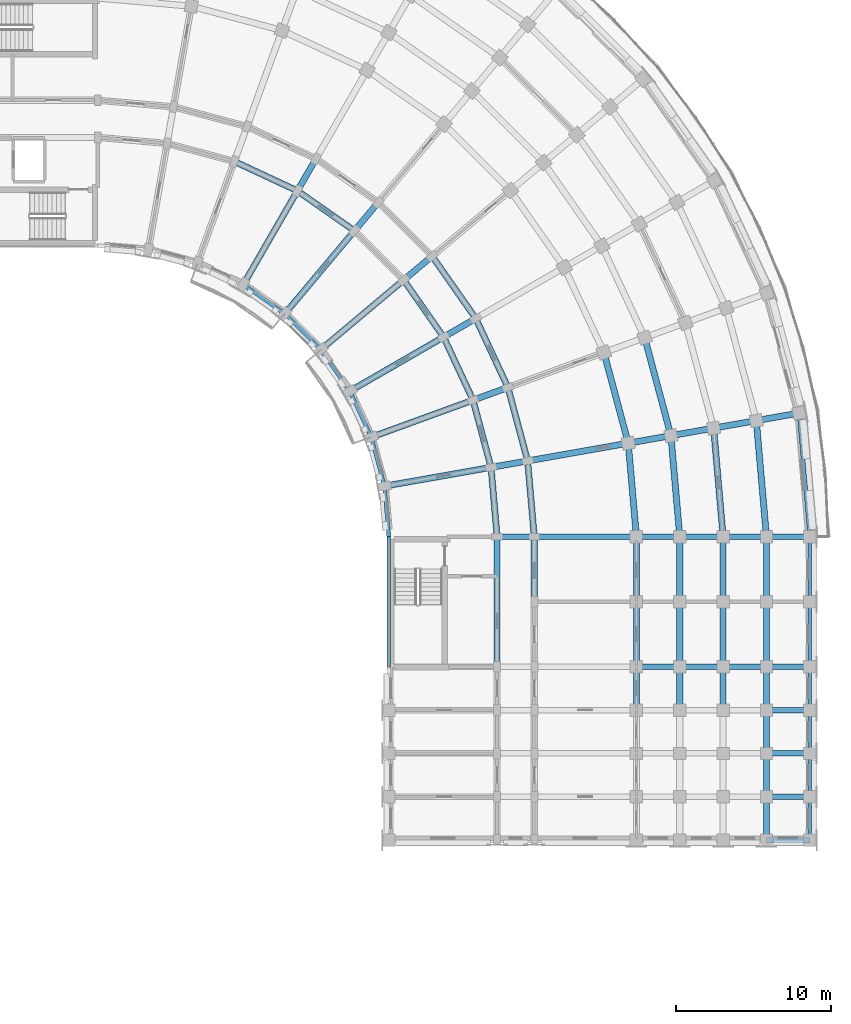
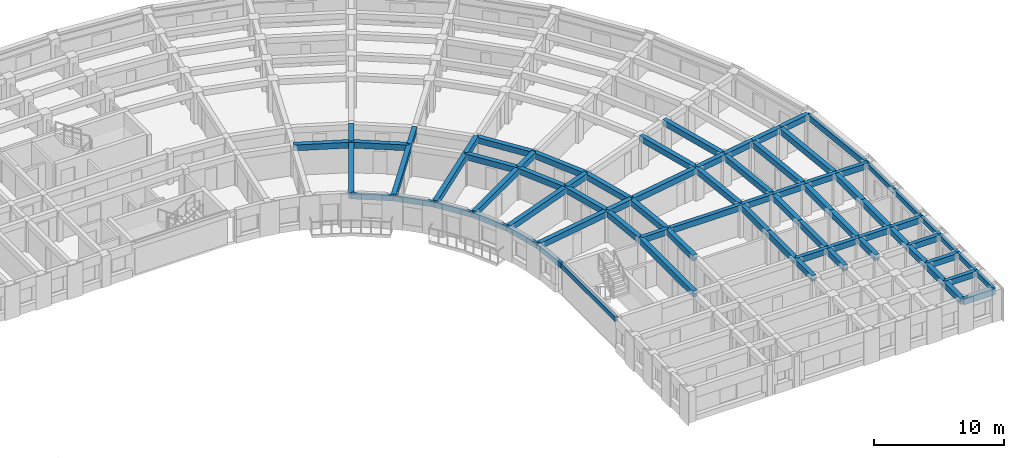
# One storey, part 11 of 54: 78 beams.
"""IFC4 building model written with IfcOpenShell, lengths in metres."""

from ifc_helpers import new_model, si_unit, direction, frame, origin, origin_2d, place, context, subcontext, project, spatial, rectangle, extrude, material, material_profile, profile_set, type_object, element, save


model = new_model("IFC4")

# Units and contexts
model_context = context("Model", 3, precision=1e-05, world=origin(), true_north=direction((0.0, 1.0)))
body_context = subcontext(model_context, "Body", "Model", "MODEL_VIEW")
ifc_project = project(units=[si_unit("LENGTHUNIT", "METRE"), si_unit("AREAUNIT", "SQUARE_METRE"), si_unit("VOLUMEUNIT", "CUBIC_METRE"), si_unit("PLANEANGLEUNIT", "RADIAN"), si_unit("MASSUNIT", "GRAM", prefix="KILO")], contexts=[model_context])

# Site, building, storey
site_placement = place(None, origin())
site = spatial("IfcSite", under=ifc_project, at=site_placement, CompositionType="ELEMENT")
building_placement = place(site_placement, origin())
building = spatial("IfcBuilding", under=site, at=building_placement, Name="Kiranvali Square Residences", CompositionType="ELEMENT")
storey_placement = place(building_placement, frame((0.0, 0.0, 11.85009765625)))
storey = spatial("IfcBuildingStorey", under=building, at=storey_placement, Name="L03", CompositionType="ELEMENT", Elevation=11.85009765625)

# Beams
ifc_material_1 = material(Name="Concrete M40 (40 MPa)", Category="concrete")
ifc_material_profile_1 = material_profile(ifc_material_1, rectangle(XDim=0.35009765625, YDim=0.550048828125, at=origin_2d()), Name="RC 350x550")
ifc_profile_set_1 = profile_set([ifc_material_profile_1], Name="Concrete M40 (40 MPa)")
beam_type_1 = type_object("IfcBeamType", Name="BM-M40-350x550", PredefinedType="BEAM", material=ifc_profile_set_1)
beam_1_placement = place(storey_placement, frame((145.60009765625, 87.800048828125, 2.65478515625), z_axis=(1.0, 0.0, 0.0), x_axis=(0.0, 1.0, 0.0)))
element("IfcBeam", 1, at=beam_1_placement, inside=storey, type_object=beam_type_1, Name="L03 beam BM-B-L03-A2T0-12", PredefinedType="BEAM", context=body_context, shape_type="SweptSolid", body=[
    extrude(rectangle(XDim=0.35009765625, YDim=0.550048828125, at=origin_2d()), origin(), (0.0, 0.0, 1.0), 2.39990234375),
])
beam_2_placement = place(storey_placement, frame((148.0, 87.800048828125, 2.65478515625), z_axis=(1.0, 0.0, 0.0), x_axis=(0.0, 1.0, 0.0)))
element("IfcBeam", 2, at=beam_2_placement, inside=storey, type_object=beam_type_1, Name="L03 beam BM-B-L03-A2T0-23", PredefinedType="BEAM", context=body_context, shape_type="SweptSolid", body=[
    extrude(rectangle(XDim=0.35009765625, YDim=0.550048828125, at=origin_2d()), origin(), (0.0, 0.0, 1.0), 6.60009765625),
])
beam_3_placement = place(storey_placement, frame((154.60009765625, 87.800048828125, 2.65478515625), z_axis=(1.0, 0.0, 0.0), x_axis=(0.0, 1.0, 0.0)))
element("IfcBeam", 3, at=beam_3_placement, inside=storey, type_object=beam_type_1, Name="L03 beam BM-B-L03-A2T0-34", PredefinedType="BEAM", context=body_context, shape_type="SweptSolid", body=[
    extrude(rectangle(XDim=0.35009765625, YDim=0.550048828125, at=origin_2d()), origin(), (0.0, 0.0, 1.0), 2.7998046875),
])
for number, where, z_axis, x_axis, name in (
    (4, (157.39990234375, 87.800048828125, 2.65478515625), (1.0, 0.0, 0.0), (0.0, 1.0, 0.0), "L03 beam BM-B-L03-A2T0-45"),
    (5, (160.199951171875, 87.800048828125, 2.65478515625), (1.0, 0.0, 0.0), (0.0, 1.0, 0.0), "L03 beam BM-B-L03-A2T0-56"),
    (6, (163.0, 87.800048828125, 2.65478515625), (1.0, 0.0, 0.0), (0.0, 1.0, 0.0), "L03 beam BM-B-L03-A2T0-67"),
):
    element("IfcBeam", number, at=place(storey_placement, frame(where, z_axis=z_axis, x_axis=x_axis)), inside=storey, type_object=beam_type_1, Name=name, PredefinedType="BEAM", context=body_context, shape_type="SweptSolid", body=[
        extrude(rectangle(XDim=0.35009765625, YDim=0.550048828125, at=origin_2d()), origin(), (0.0, 0.0, 1.0), 2.800048828125),
    ])
beam_4_placement = place(storey_placement, frame((154.60009765625, 79.39990234375, 2.65478515625), z_axis=(1.0, 0.0, 0.0), x_axis=(0.0, 1.0, 0.0)))
element("IfcBeam", 7, at=beam_4_placement, inside=storey, type_object=beam_type_1, Name="L03 beam BM-B-L03-A2T1-34", PredefinedType="BEAM", context=body_context, shape_type="SweptSolid", body=[
    extrude(rectangle(XDim=0.35009765625, YDim=0.550048828125, at=origin_2d()), origin(), (0.0, 0.0, 1.0), 2.7998046875),
])
for number, where, z_axis, x_axis, name in (
    (8, (157.39990234375, 79.39990234375, 2.65478515625), (1.0, 0.0, 0.0), (0.0, 1.0, 0.0), "L03 beam BM-B-L03-A2T1-45"),
    (9, (160.199951171875, 79.39990234375, 2.65478515625), (1.0, 0.0, 0.0), (0.0, 1.0, 0.0), "L03 beam BM-B-L03-A2T1-56"),
    (10, (163.0, 79.39990234375, 2.65478515625), (1.0, 0.0, 0.0), (0.0, 1.0, 0.0), "L03 beam BM-B-L03-A2T1-67"),
    (11, (163.0, 76.60009765625, 2.65478515625), (1.0, 0.0, 0.0), (0.0, 1.0, 0.0), "L03 beam BM-B-L03-A2T2-67"),
    (12, (163.0, 73.800048828125, 2.65478515625), (1.0, 0.0, 0.0), (0.0, 1.0, 0.0), "L03 beam BM-B-L03-A2T3-67"),
    (13, (163.0, 71.0, 2.65478515625), (1.0, 0.0, 0.0), (0.0, 1.0, 0.0), "L03 beam BM-B-L03-A2T4-67"),
    (14, (163.0, 68.199951171875, 2.65478515625), (1.0, 0.0, 0.0), (0.0, 1.0, 0.0), "L03 beam BM-B-L03-A2T5-67"),
):
    element("IfcBeam", number, at=place(storey_placement, frame(where, z_axis=z_axis, x_axis=x_axis)), inside=storey, type_object=beam_type_1, Name=name, PredefinedType="BEAM", context=body_context, shape_type="SweptSolid", body=[
        extrude(rectangle(XDim=0.35009765625, YDim=0.550048828125, at=origin_2d()), origin(), (0.0, 0.0, 1.0), 2.800048828125),
    ])
ifc_material_2 = material(Name="Concrete M45 (45 MPa)", Category="concrete")
ifc_material_profile_2 = material_profile(ifc_material_2, rectangle(XDim=0.39990234375, YDim=0.550048828125, at=origin_2d()), Name="RC 400x550")
ifc_profile_set_2 = profile_set([ifc_material_profile_2], Name="Concrete M45 (45 MPa)")
beam_type_2 = type_object("IfcBeamType", Name="BM-M45-400x550", PredefinedType="BEAM", material=ifc_profile_set_2)
for number, where, z_axis, x_axis, name in (
    (15, (128.6240234375, 112.044189453125, 2.65478515625), (0.906307919131, -0.422617978463, 0.0), (0.422617978463, 0.906307919131, 0.0), "L03 beam BM-B-L03-C02-R1"),
    (16, (132.699951171875, 110.1435546875, 2.65478515625), (0.819155404658, -0.573571637217, 0.0), (0.573571637217, 0.819155404658, 0.0), "L03 beam BM-B-L03-C03-R1"),
    (17, (139.56396484375, 104.384033203125, 2.65478515625), (0.573571637217, -0.819155404658, 0.0), (0.819155404658, 0.573571637217, 0.0), "L03 beam BM-B-L03-C05-R1"),
):
    element("IfcBeam", number, at=place(storey_placement, frame(where, z_axis=z_axis, x_axis=x_axis)), inside=storey, type_object=beam_type_2, Name=name, PredefinedType="BEAM", context=body_context, shape_type="SweptSolid", body=[
        extrude(rectangle(XDim=0.39990234375, YDim=0.550048828125, at=origin_2d()), origin(), (0.0, 0.0, 1.0), 4.497314453125),
    ])
beam_5_placement = place(storey_placement, frame((141.40234375, 105.926513671875, 2.65478515625), z_axis=(0.573592335331, -0.819140911474, 0.0), x_axis=(0.819140911474, 0.573592335331, 0.0)))
element("IfcBeam", 18, at=beam_5_placement, inside=storey, type_object=beam_type_2, Name="L03 beam BM-B-L03-C05-R2", PredefinedType="BEAM", context=body_context, shape_type="SweptSolid", body=[
    extrude(rectangle(XDim=0.39990234375, YDim=0.550048828125, at=origin_2d()), origin(), (0.0, 0.0, 1.0), 4.915771484375),
])
beam_6_placement = place(storey_placement, frame((142.1435546875, 100.699951171875, 2.65478515625), z_axis=(0.422617978463, -0.906307919131, 0.0), x_axis=(0.906307919131, 0.422617978463, 0.0)))
element("IfcBeam", 19, at=beam_6_placement, inside=storey, type_object=beam_type_2, Name="L03 beam BM-B-L03-C06-R1", PredefinedType="BEAM", context=body_context, shape_type="SweptSolid", body=[
    extrude(rectangle(XDim=0.39990234375, YDim=0.550048828125, at=origin_2d()), origin(), (0.0, 0.0, 1.0), 4.497314453125),
])
beam_7_placement = place(storey_placement, frame((144.221923828125, 101.89990234375, 2.65478515625), z_axis=(0.422629854778, -0.906302381024, 0.0), x_axis=(0.906302381024, 0.422629854778, 0.0)))
element("IfcBeam", 20, at=beam_7_placement, inside=storey, type_object=beam_type_2, Name="L03 beam BM-B-L03-C06-R2", PredefinedType="BEAM", context=body_context, shape_type="SweptSolid", body=[
    extrude(rectangle(XDim=0.39990234375, YDim=0.550048828125, at=origin_2d()), origin(), (0.0, 0.0, 1.0), 4.915283203125),
])
beam_8_placement = place(storey_placement, frame((144.044189453125, 96.6240234375, 2.65478515625), z_axis=(0.258787642463, -0.965934240054, 0.0), x_axis=(0.965934240054, 0.258787642463, 0.0)))
element("IfcBeam", 21, at=beam_8_placement, inside=storey, type_object=beam_type_2, Name="L03 beam BM-B-L03-C07-R1", PredefinedType="BEAM", context=body_context, shape_type="SweptSolid", body=[
    extrude(rectangle(XDim=0.39990234375, YDim=0.550048828125, at=origin_2d()), origin(), (0.0, 0.0, 1.0), 4.497314453125),
])
beam_9_placement = place(storey_placement, frame((146.29931640625, 97.445068359375, 2.65478515625), z_axis=(0.258803112091, -0.965930095386, 0.0), x_axis=(0.965930095386, 0.258803112091, 0.0)))
element("IfcBeam", 22, at=beam_9_placement, inside=storey, type_object=beam_type_2, Name="L03 beam BM-B-L03-C07-R2", PredefinedType="BEAM", context=body_context, shape_type="SweptSolid", body=[
    extrude(rectangle(XDim=0.39990234375, YDim=0.550048828125, at=origin_2d()), origin(), (0.0, 0.0, 1.0), 4.915771484375),
])
beam_10_placement = place(storey_placement, frame((152.501220703125, 99.702392578125, 2.65478515625), z_axis=(0.258827283048, -0.965923618901, 0.0), x_axis=(0.965923618901, 0.258827283048, 0.0)))
element("IfcBeam", 23, at=beam_10_placement, inside=storey, type_object=beam_type_2, Name="L03 beam BM-B-L03-C07-R3", PredefinedType="BEAM", context=body_context, shape_type="SweptSolid", body=[
    extrude(rectangle(XDim=0.39990234375, YDim=0.550048828125, at=origin_2d()), origin(), (0.0, 0.0, 1.0), 6.066162109375),
])
beam_11_placement = place(storey_placement, frame((155.13232421875, 100.659912109375, 2.65478515625), z_axis=(0.258847178297, -0.965918287583, 0.0), x_axis=(0.965918287583, 0.258847178297, 0.0)))
element("IfcBeam", 24, at=beam_11_placement, inside=storey, type_object=beam_type_2, Name="L03 beam BM-B-L03-C07-R4", PredefinedType="BEAM", context=body_context, shape_type="SweptSolid", body=[
    extrude(rectangle(XDim=0.39990234375, YDim=0.550048828125, at=origin_2d()), origin(), (0.0, 0.0, 1.0), 6.55419921875),
])
beam_12_placement = place(storey_placement, frame((145.2080078125, 92.280029296875, 2.65478515625), z_axis=(0.087187153726, -0.996191949488, 0.0), x_axis=(0.996191949488, 0.087187153726, 0.0)))
element("IfcBeam", 25, at=beam_12_placement, inside=storey, type_object=beam_type_2, Name="L03 beam BM-B-L03-C08-R1", PredefinedType="BEAM", context=body_context, shape_type="SweptSolid", body=[
    extrude(rectangle(XDim=0.39990234375, YDim=0.550048828125, at=origin_2d()), origin(), (0.0, 0.0, 1.0), 4.4970703125),
])
beam_13_placement = place(storey_placement, frame((147.571533203125, 92.69677734375, 2.65478515625), z_axis=(0.087167566415, -0.996193663584, 0.0), x_axis=(0.996193663584, 0.087167566415, 0.0)))
element("IfcBeam", 26, at=beam_13_placement, inside=storey, type_object=beam_type_2, Name="L03 beam BM-B-L03-C08-R2", PredefinedType="BEAM", context=body_context, shape_type="SweptSolid", body=[
    extrude(rectangle(XDim=0.39990234375, YDim=0.550048828125, at=origin_2d()), origin(), (0.0, 0.0, 1.0), 4.91552734375),
])
beam_14_placement = place(storey_placement, frame((154.0712890625, 93.843017578125, 2.65478515625), z_axis=(0.087174938512, -0.996193018494, 0.0), x_axis=(0.996193018494, 0.087174938512, 0.0)))
element("IfcBeam", 27, at=beam_14_placement, inside=storey, type_object=beam_type_2, Name="L03 beam BM-B-L03-C08-R3", PredefinedType="BEAM", context=body_context, shape_type="SweptSolid", body=[
    extrude(rectangle(XDim=0.39990234375, YDim=0.550048828125, at=origin_2d()), origin(), (0.0, 0.0, 1.0), 6.066162109375),
])
beam_15_placement = place(storey_placement, frame((156.828857421875, 94.3291015625, 2.65478515625), z_axis=(0.0871295204, -0.996196991902, 0.0), x_axis=(0.996196991902, 0.0871295204, 0.0)))
element("IfcBeam", 28, at=beam_15_placement, inside=storey, type_object=beam_type_2, Name="L03 beam BM-B-L03-C08-R4", PredefinedType="BEAM", context=body_context, shape_type="SweptSolid", body=[
    extrude(rectangle(XDim=0.39990234375, YDim=0.550048828125, at=origin_2d()), origin(), (0.0, 0.0, 1.0), 6.553955078125),
])
beam_16_placement = place(storey_placement, frame((159.586181640625, 94.8154296875, 2.65478515625), z_axis=(0.087156198737, -0.996194658198, 0.0), x_axis=(0.996194658198, 0.087156198737, 0.0)))
element("IfcBeam", 29, at=beam_16_placement, inside=storey, type_object=beam_type_2, Name="L03 beam BM-B-L03-C08-R5", PredefinedType="BEAM", context=body_context, shape_type="SweptSolid", body=[
    extrude(rectangle(XDim=0.39990234375, YDim=0.550048828125, at=origin_2d()), origin(), (0.0, 0.0, 1.0), 7.042236328125),
])
beam_17_placement = place(storey_placement, frame((162.34375, 95.301513671875, 2.65478515625), z_axis=(0.087150058103, -0.996195195417, 0.0), x_axis=(0.996195195417, 0.087150058103, 0.0)))
element("IfcBeam", 30, at=beam_17_placement, inside=storey, type_object=beam_type_2, Name="L03 beam BM-B-L03-C08-R6", PredefinedType="BEAM", context=body_context, shape_type="SweptSolid", body=[
    extrude(rectangle(XDim=0.39990234375, YDim=0.550048828125, at=origin_2d()), origin(), (0.0, 0.0, 1.0), 7.530029296875),
])
beam_18_placement = place(storey_placement, frame((129.199951171875, 104.081298828125, 2.65478515625), z_axis=(0.499995173006, 0.866028190633, 0.0), x_axis=(-0.866028190633, 0.499995173006, 0.0)))
element("IfcBeam", 31, at=beam_18_placement, inside=storey, type_object=beam_type_2, Name="L03 beam BM-B-L03-RAD03-01", PredefinedType="BEAM", context=body_context, shape_type="SweptSolid", body=[
    extrude(rectangle(XDim=0.39990234375, YDim=0.550048828125, at=origin_2d()), origin(), (0.0, 0.0, 1.0), 7.0),
])
beam_19_placement = place(storey_placement, frame((132.699951171875, 110.1435546875, 2.65478515625), z_axis=(0.500001309137, 0.866024647952, 0.0), x_axis=(-0.866024647952, 0.500001309137, 0.0)))
element("IfcBeam", 32, at=beam_19_placement, inside=storey, type_object=beam_type_2, Name="L03 beam BM-B-L03-RAD03-12", PredefinedType="BEAM", context=body_context, shape_type="SweptSolid", body=[
    extrude(rectangle(XDim=0.39990234375, YDim=0.550048828125, at=origin_2d()), origin(), (0.0, 0.0, 1.0), 2.39990234375),
])
beam_20_placement = place(storey_placement, frame((131.884521484375, 102.20166015625, 2.65478515625), z_axis=(0.642787931032, 0.766044173478, 0.0), x_axis=(-0.766044173478, 0.642787931032, 0.0)))
element("IfcBeam", 33, at=beam_20_placement, inside=storey, type_object=beam_type_2, Name="L03 beam BM-B-L03-RAD04-01", PredefinedType="BEAM", context=body_context, shape_type="SweptSolid", body=[
    extrude(rectangle(XDim=0.39990234375, YDim=0.550048828125, at=origin_2d()), origin(), (0.0, 0.0, 1.0), 7.0),
])
beam_21_placement = place(storey_placement, frame((136.384033203125, 107.56396484375, 2.65478515625), z_axis=(0.642762521781, 0.766065493671, 0.0), x_axis=(-0.766065493671, 0.642762521781, 0.0)))
element("IfcBeam", 34, at=beam_21_placement, inside=storey, type_object=beam_type_2, Name="L03 beam BM-B-L03-RAD04-12", PredefinedType="BEAM", context=body_context, shape_type="SweptSolid", body=[
    extrude(rectangle(XDim=0.39990234375, YDim=0.550048828125, at=origin_2d()), origin(), (0.0, 0.0, 1.0), 2.399658203125),
])
beam_22_placement = place(storey_placement, frame((134.20166015625, 99.884521484375, 2.65478515625), z_axis=(0.766044173478, 0.642787931032, 0.0), x_axis=(-0.642787931032, 0.766044173478, 0.0)))
element("IfcBeam", 35, at=beam_22_placement, inside=storey, type_object=beam_type_2, Name="L03 beam BM-B-L03-RAD05-01", PredefinedType="BEAM", context=body_context, shape_type="SweptSolid", body=[
    extrude(rectangle(XDim=0.39990234375, YDim=0.550048828125, at=origin_2d()), origin(), (0.0, 0.0, 1.0), 7.0),
])
beam_23_placement = place(storey_placement, frame((139.56396484375, 104.384033203125, 2.65478515625), z_axis=(0.766065493671, 0.642762521781, 0.0), x_axis=(-0.642762521781, 0.766065493671, 0.0)))
element("IfcBeam", 36, at=beam_23_placement, inside=storey, type_object=beam_type_2, Name="L03 beam BM-B-L03-RAD05-12", PredefinedType="BEAM", context=body_context, shape_type="SweptSolid", body=[
    extrude(rectangle(XDim=0.39990234375, YDim=0.550048828125, at=origin_2d()), origin(), (0.0, 0.0, 1.0), 2.399658203125),
])
beam_24_placement = place(storey_placement, frame((136.081298828125, 97.199951171875, 2.65478515625), z_axis=(0.866028190633, 0.499995173006, 0.0), x_axis=(-0.499995173006, 0.866028190633, 0.0)))
element("IfcBeam", 37, at=beam_24_placement, inside=storey, type_object=beam_type_2, Name="L03 beam BM-B-L03-RAD06-01", PredefinedType="BEAM", context=body_context, shape_type="SweptSolid", body=[
    extrude(rectangle(XDim=0.39990234375, YDim=0.550048828125, at=origin_2d()), origin(), (0.0, 0.0, 1.0), 7.0),
])
beam_25_placement = place(storey_placement, frame((142.1435546875, 100.699951171875, 2.65478515625), z_axis=(0.866024647952, 0.500001309137, 0.0), x_axis=(-0.500001309137, 0.866024647952, 0.0)))
element("IfcBeam", 38, at=beam_25_placement, inside=storey, type_object=beam_type_2, Name="L03 beam BM-B-L03-RAD06-12", PredefinedType="BEAM", context=body_context, shape_type="SweptSolid", body=[
    extrude(rectangle(XDim=0.39990234375, YDim=0.550048828125, at=origin_2d()), origin(), (0.0, 0.0, 1.0), 2.39990234375),
])
beam_26_placement = place(storey_placement, frame((137.46630859375, 94.22998046875, 2.65478515625), z_axis=(0.939697665127, 0.342006283793, 0.0), x_axis=(-0.342006283793, 0.939697665127, 0.0)))
element("IfcBeam", 39, at=beam_26_placement, inside=storey, type_object=beam_type_2, Name="L03 beam BM-B-L03-RAD07-01", PredefinedType="BEAM", context=body_context, shape_type="SweptSolid", body=[
    extrude(rectangle(XDim=0.39990234375, YDim=0.550048828125, at=origin_2d()), origin(), (0.0, 0.0, 1.0), 7.0),
])
beam_27_placement = place(storey_placement, frame((144.044189453125, 96.6240234375, 2.65478515625), z_axis=(0.939659694648, 0.342110593602, 0.0), x_axis=(-0.342110593602, 0.939659694648, 0.0)))
element("IfcBeam", 40, at=beam_27_placement, inside=storey, type_object=beam_type_2, Name="L03 beam BM-B-L03-RAD07-12", PredefinedType="BEAM", context=body_context, shape_type="SweptSolid", body=[
    extrude(rectangle(XDim=0.39990234375, YDim=0.550048828125, at=origin_2d()), origin(), (0.0, 0.0, 1.0), 2.39990234375),
])
beam_28_placement = place(storey_placement, frame((138.314453125, 91.064697265625, 2.65478515625), z_axis=(0.984812337125, 0.173622177865, 0.0), x_axis=(-0.173622177865, 0.984812337125, 0.0)))
element("IfcBeam", 41, at=beam_28_placement, inside=storey, type_object=beam_type_2, Name="L03 beam BM-B-L03-RAD08-01", PredefinedType="BEAM", context=body_context, shape_type="SweptSolid", body=[
    extrude(rectangle(XDim=0.39990234375, YDim=0.550048828125, at=origin_2d()), origin(), (0.0, 0.0, 1.0), 6.999755859375),
])
beam_29_placement = place(storey_placement, frame((145.2080078125, 92.280029296875, 2.65478515625), z_axis=(0.984808127031, 0.173646056486, 0.0), x_axis=(-0.173646056486, 0.984808127031, 0.0)))
element("IfcBeam", 42, at=beam_29_placement, inside=storey, type_object=beam_type_2, Name="L03 beam BM-B-L03-RAD08-12", PredefinedType="BEAM", context=body_context, shape_type="SweptSolid", body=[
    extrude(rectangle(XDim=0.39990234375, YDim=0.550048828125, at=origin_2d()), origin(), (0.0, 0.0, 1.0), 2.39990234375),
])
beam_30_placement = place(storey_placement, frame((147.571533203125, 92.69677734375, 2.65478515625), z_axis=(0.984803661269, 0.173671381499, 0.0), x_axis=(-0.173671381499, 0.984803661269, 0.0)))
element("IfcBeam", 43, at=beam_30_placement, inside=storey, type_object=beam_type_2, Name="L03 beam BM-B-L03-RAD08-23", PredefinedType="BEAM", context=body_context, shape_type="SweptSolid", body=[
    extrude(rectangle(XDim=0.39990234375, YDim=0.550048828125, at=origin_2d()), origin(), (0.0, 0.0, 1.0), 6.60009765625),
])
beam_31_placement = place(storey_placement, frame((154.0712890625, 93.843017578125, 2.65478515625), z_axis=(0.984816895441, 0.173596320392, 0.0), x_axis=(-0.173596320392, 0.984816895441, 0.0)))
element("IfcBeam", 44, at=beam_31_placement, inside=storey, type_object=beam_type_2, Name="L03 beam BM-B-L03-RAD08-34", PredefinedType="BEAM", context=body_context, shape_type="SweptSolid", body=[
    extrude(rectangle(XDim=0.39990234375, YDim=0.550048828125, at=origin_2d()), origin(), (0.0, 0.0, 1.0), 2.800048828125),
])
beam_32_placement = place(storey_placement, frame((156.828857421875, 94.3291015625, 2.65478515625), z_axis=(0.984799355489, 0.173695795656, 0.0), x_axis=(-0.173695795656, 0.984799355489, 0.0)))
element("IfcBeam", 45, at=beam_32_placement, inside=storey, type_object=beam_type_2, Name="L03 beam BM-B-L03-RAD08-45", PredefinedType="BEAM", context=body_context, shape_type="SweptSolid", body=[
    extrude(rectangle(XDim=0.39990234375, YDim=0.550048828125, at=origin_2d()), origin(), (0.0, 0.0, 1.0), 2.7998046875),
])
beam_33_placement = place(storey_placement, frame((159.586181640625, 94.8154296875, 2.65478515625), z_axis=(0.984816895441, 0.173596320392, 0.0), x_axis=(-0.173596320392, 0.984816895441, 0.0)))
element("IfcBeam", 46, at=beam_33_placement, inside=storey, type_object=beam_type_2, Name="L03 beam BM-B-L03-RAD08-56", PredefinedType="BEAM", context=body_context, shape_type="SweptSolid", body=[
    extrude(rectangle(XDim=0.39990234375, YDim=0.550048828125, at=origin_2d()), origin(), (0.0, 0.0, 1.0), 2.800048828125),
])
beam_34_placement = place(storey_placement, frame((162.34375, 95.301513671875, 2.65478515625), z_axis=(0.984799355489, 0.173695795656, 0.0), x_axis=(-0.173695795656, 0.984799355489, 0.0)))
element("IfcBeam", 47, at=beam_34_placement, inside=storey, type_object=beam_type_2, Name="L03 beam BM-B-L03-RAD08-67", PredefinedType="BEAM", context=body_context, shape_type="SweptSolid", body=[
    extrude(rectangle(XDim=0.39990234375, YDim=0.550048828125, at=origin_2d()), origin(), (0.0, 0.0, 1.0), 2.7998046875),
])
beam_35_placement = place(storey_placement, frame((145.60009765625, 87.800048828125, 2.65478515625), z_axis=(0.0, -1.0, 0.0), x_axis=(1.0, 0.0, 0.0)))
element("IfcBeam", 48, at=beam_35_placement, inside=storey, type_object=beam_type_2, Name="L03 beam BM-B-L03-A2V0-R1", PredefinedType="BEAM", context=body_context, shape_type="SweptSolid", body=[
    extrude(rectangle(XDim=0.39990234375, YDim=0.550048828125, at=origin_2d()), origin(), (0.0, 0.0, 1.0), 8.400146484375),
])
for number, where, z_axis, x_axis, name in (
    (49, (148.0, 87.800048828125, 2.65478515625), (0.0, -1.0, 0.0), (1.0, 0.0, 0.0), "L03 beam BM-B-L03-A2V0-R2"),
    (50, (154.60009765625, 87.800048828125, 2.65478515625), (0.0, -1.0, 0.0), (1.0, 0.0, 0.0), "L03 beam BM-B-L03-A2V0-R3"),
):
    element("IfcBeam", number, at=place(storey_placement, frame(where, z_axis=z_axis, x_axis=x_axis)), inside=storey, type_object=beam_type_2, Name=name, PredefinedType="BEAM", context=body_context, shape_type="SweptSolid", body=[
        extrude(rectangle(XDim=0.39990234375, YDim=0.550048828125, at=origin_2d()), origin(), (0.0, 0.0, 1.0), 4.199951171875),
    ])
beam_36_placement = place(storey_placement, frame((154.60009765625, 83.60009765625, 2.65478515625), z_axis=(0.0, -1.0, 0.0), x_axis=(1.0, 0.0, 0.0)))
element("IfcBeam", 51, at=beam_36_placement, inside=storey, type_object=beam_type_2, Name="L03 beam BM-B-L03-A2V1-R3", PredefinedType="BEAM", context=body_context, shape_type="SweptSolid", body=[
    extrude(rectangle(XDim=0.39990234375, YDim=0.550048828125, at=origin_2d()), origin(), (0.0, 0.0, 1.0), 4.2001953125),
])
beam_37_placement = place(storey_placement, frame((154.60009765625, 79.39990234375, 2.65478515625), z_axis=(0.0, -1.0, 0.0), x_axis=(1.0, 0.0, 0.0)))
element("IfcBeam", 52, at=beam_37_placement, inside=storey, type_object=beam_type_2, Name="L03 beam BM-B-L03-A2V2-R3", PredefinedType="BEAM", context=body_context, shape_type="SweptSolid", body=[
    extrude(rectangle(XDim=0.39990234375, YDim=0.550048828125, at=origin_2d()), origin(), (0.0, 0.0, 1.0), 2.7998046875),
])
beam_38_placement = place(storey_placement, frame((157.39990234375, 87.800048828125, 2.65478515625), z_axis=(0.0, -1.0, 0.0), x_axis=(1.0, 0.0, 0.0)))
element("IfcBeam", 53, at=beam_38_placement, inside=storey, type_object=beam_type_2, Name="L03 beam BM-B-L03-A2V0-R4", PredefinedType="BEAM", context=body_context, shape_type="SweptSolid", body=[
    extrude(rectangle(XDim=0.39990234375, YDim=0.550048828125, at=origin_2d()), origin(), (0.0, 0.0, 1.0), 4.199951171875),
])
beam_39_placement = place(storey_placement, frame((157.39990234375, 83.60009765625, 2.65478515625), z_axis=(0.0, -1.0, 0.0), x_axis=(1.0, 0.0, 0.0)))
element("IfcBeam", 54, at=beam_39_placement, inside=storey, type_object=beam_type_2, Name="L03 beam BM-B-L03-A2V1-R4", PredefinedType="BEAM", context=body_context, shape_type="SweptSolid", body=[
    extrude(rectangle(XDim=0.39990234375, YDim=0.550048828125, at=origin_2d()), origin(), (0.0, 0.0, 1.0), 4.2001953125),
])
beam_40_placement = place(storey_placement, frame((157.39990234375, 79.39990234375, 2.65478515625), z_axis=(0.0, -1.0, 0.0), x_axis=(1.0, 0.0, 0.0)))
element("IfcBeam", 55, at=beam_40_placement, inside=storey, type_object=beam_type_2, Name="L03 beam BM-B-L03-A2V2-R4", PredefinedType="BEAM", context=body_context, shape_type="SweptSolid", body=[
    extrude(rectangle(XDim=0.39990234375, YDim=0.550048828125, at=origin_2d()), origin(), (0.0, 0.0, 1.0), 2.7998046875),
])
beam_41_placement = place(storey_placement, frame((160.199951171875, 87.800048828125, 2.65478515625), z_axis=(0.0, -1.0, 0.0), x_axis=(1.0, 0.0, 0.0)))
element("IfcBeam", 56, at=beam_41_placement, inside=storey, type_object=beam_type_2, Name="L03 beam BM-B-L03-A2V0-R5", PredefinedType="BEAM", context=body_context, shape_type="SweptSolid", body=[
    extrude(rectangle(XDim=0.39990234375, YDim=0.550048828125, at=origin_2d()), origin(), (0.0, 0.0, 1.0), 4.199951171875),
])
beam_42_placement = place(storey_placement, frame((160.199951171875, 83.60009765625, 2.65478515625), z_axis=(0.0, -1.0, 0.0), x_axis=(1.0, 0.0, 0.0)))
element("IfcBeam", 57, at=beam_42_placement, inside=storey, type_object=beam_type_2, Name="L03 beam BM-B-L03-A2V1-R5", PredefinedType="BEAM", context=body_context, shape_type="SweptSolid", body=[
    extrude(rectangle(XDim=0.39990234375, YDim=0.550048828125, at=origin_2d()), origin(), (0.0, 0.0, 1.0), 4.2001953125),
])
beam_43_placement = place(storey_placement, frame((160.199951171875, 79.39990234375, 2.65478515625), z_axis=(0.0, -1.0, 0.0), x_axis=(1.0, 0.0, 0.0)))
element("IfcBeam", 58, at=beam_43_placement, inside=storey, type_object=beam_type_2, Name="L03 beam BM-B-L03-A2V2-R5", PredefinedType="BEAM", context=body_context, shape_type="SweptSolid", body=[
    extrude(rectangle(XDim=0.39990234375, YDim=0.550048828125, at=origin_2d()), origin(), (0.0, 0.0, 1.0), 2.7998046875),
])
beam_44_placement = place(storey_placement, frame((163.0, 87.800048828125, 2.65478515625), z_axis=(0.0, -1.0, 0.0), x_axis=(1.0, 0.0, 0.0)))
element("IfcBeam", 59, at=beam_44_placement, inside=storey, type_object=beam_type_2, Name="L03 beam BM-B-L03-A2V0-R6", PredefinedType="BEAM", context=body_context, shape_type="SweptSolid", body=[
    extrude(rectangle(XDim=0.39990234375, YDim=0.550048828125, at=origin_2d()), origin(), (0.0, 0.0, 1.0), 4.199951171875),
])
beam_45_placement = place(storey_placement, frame((163.0, 83.60009765625, 2.65478515625), z_axis=(0.0, -1.0, 0.0), x_axis=(1.0, 0.0, 0.0)))
element("IfcBeam", 60, at=beam_45_placement, inside=storey, type_object=beam_type_2, Name="L03 beam BM-B-L03-A2V1-R6", PredefinedType="BEAM", context=body_context, shape_type="SweptSolid", body=[
    extrude(rectangle(XDim=0.39990234375, YDim=0.550048828125, at=origin_2d()), origin(), (0.0, 0.0, 1.0), 4.2001953125),
])
beam_46_placement = place(storey_placement, frame((163.0, 79.39990234375, 2.65478515625), z_axis=(0.0, -1.0, 0.0), x_axis=(1.0, 0.0, 0.0)))
element("IfcBeam", 61, at=beam_46_placement, inside=storey, type_object=beam_type_2, Name="L03 beam BM-B-L03-A2V2-R6", PredefinedType="BEAM", context=body_context, shape_type="SweptSolid", body=[
    extrude(rectangle(XDim=0.39990234375, YDim=0.550048828125, at=origin_2d()), origin(), (0.0, 0.0, 1.0), 2.7998046875),
])
for number, where, z_axis, x_axis, name in (
    (62, (163.0, 76.60009765625, 2.65478515625), (0.0, -1.0, 0.0), (1.0, 0.0, 0.0), "L03 beam BM-B-L03-A2V3-R6"),
    (63, (163.0, 73.800048828125, 2.65478515625), (0.0, -1.0, 0.0), (1.0, 0.0, 0.0), "L03 beam BM-B-L03-A2V4-R6"),
    (64, (163.0, 71.0, 2.65478515625), (0.0, -1.0, 0.0), (1.0, 0.0, 0.0), "L03 beam BM-B-L03-A2V5-R6"),
):
    element("IfcBeam", number, at=place(storey_placement, frame(where, z_axis=z_axis, x_axis=x_axis)), inside=storey, type_object=beam_type_2, Name=name, PredefinedType="BEAM", context=body_context, shape_type="SweptSolid", body=[
        extrude(rectangle(XDim=0.39990234375, YDim=0.550048828125, at=origin_2d()), origin(), (0.0, 0.0, 1.0), 2.800048828125),
    ])
ifc_material_profile_3 = material_profile(ifc_material_1, rectangle(XDim=0.25, YDim=0.449951171875, at=origin_2d()), Name="RC 250x450")
ifc_profile_set_3 = profile_set([ifc_material_profile_3], Name="Concrete M40 (40 MPa)")
beam_type_3 = type_object("IfcBeamType", Name="SPN-M40-250x450", PredefinedType="SPANDREL", material=ifc_profile_set_3)
beam_47_placement = place(storey_placement, frame((138.60009765625, 87.800048828125, 2.704833984375), z_axis=(0.0, -1.0, 0.0), x_axis=(1.0, 0.0, 0.0)))
element("IfcBeam", 65, at=beam_47_placement, inside=storey, type_object=beam_type_3, Name="L03 beam BM-B-L03-A2V0-R0", PredefinedType="SPANDREL", context=body_context, shape_type="SweptSolid", body=[
    extrude(rectangle(XDim=0.25, YDim=0.449951171875, at=origin_2d()), origin(), (0.0, 0.0, 1.0), 8.400146484375),
])
beam_48_placement = place(storey_placement, frame((165.800048828125, 87.800048828125, 2.704833984375), z_axis=(0.0, -1.0, 0.0), x_axis=(1.0, 0.0, 0.0)))
element("IfcBeam", 66, at=beam_48_placement, inside=storey, type_object=beam_type_3, Name="L03 beam BM-B-L03-A2V0-R7", PredefinedType="SPANDREL", context=body_context, shape_type="SweptSolid", body=[
    extrude(rectangle(XDim=0.25, YDim=0.449951171875, at=origin_2d()), origin(), (0.0, 0.0, 1.0), 4.199951171875),
])
beam_49_placement = place(storey_placement, frame((165.800048828125, 83.60009765625, 2.704833984375), z_axis=(0.0, -1.0, 0.0), x_axis=(1.0, 0.0, 0.0)))
element("IfcBeam", 67, at=beam_49_placement, inside=storey, type_object=beam_type_3, Name="L03 beam BM-B-L03-A2V1-R7", PredefinedType="SPANDREL", context=body_context, shape_type="SweptSolid", body=[
    extrude(rectangle(XDim=0.25, YDim=0.449951171875, at=origin_2d()), origin(), (0.0, 0.0, 1.0), 4.2001953125),
])
beam_50_placement = place(storey_placement, frame((165.800048828125, 79.39990234375, 2.704833984375), z_axis=(0.0, -1.0, 0.0), x_axis=(1.0, 0.0, 0.0)))
element("IfcBeam", 68, at=beam_50_placement, inside=storey, type_object=beam_type_3, Name="L03 beam BM-B-L03-A2V2-R7", PredefinedType="SPANDREL", context=body_context, shape_type="SweptSolid", body=[
    extrude(rectangle(XDim=0.25, YDim=0.449951171875, at=origin_2d()), origin(), (0.0, 0.0, 1.0), 2.7998046875),
])
for number, where, z_axis, x_axis, name in (
    (69, (165.800048828125, 76.60009765625, 2.704833984375), (0.0, -1.0, 0.0), (1.0, 0.0, 0.0), "L03 beam BM-B-L03-A2V3-R7"),
    (70, (165.800048828125, 73.800048828125, 2.704833984375), (0.0, -1.0, 0.0), (1.0, 0.0, 0.0), "L03 beam BM-B-L03-A2V4-R7"),
    (71, (165.800048828125, 71.0, 2.704833984375), (0.0, -1.0, 0.0), (1.0, 0.0, 0.0), "L03 beam BM-B-L03-A2V5-R7"),
):
    element("IfcBeam", number, at=place(storey_placement, frame(where, z_axis=z_axis, x_axis=x_axis)), inside=storey, type_object=beam_type_3, Name=name, PredefinedType="SPANDREL", context=body_context, shape_type="SweptSolid", body=[
        extrude(rectangle(XDim=0.25, YDim=0.449951171875, at=origin_2d()), origin(), (0.0, 0.0, 1.0), 2.800048828125),
    ])
ifc_material_profile_4 = material_profile(ifc_material_1, rectangle(XDim=0.25, YDim=0.5, at=origin_2d()), Name="RC 250x500")
ifc_profile_set_4 = profile_set([ifc_material_profile_4], Name="Concrete M40 (40 MPa)")
beam_type_4 = type_object("IfcBeamType", Name="SPN-M40-250x500", PredefinedType="SPANDREL", material=ifc_profile_set_4)
beam_51_placement = place(storey_placement, frame((129.199951171875, 104.081298828125, 2.679931640625), z_axis=(0.81916891812, -0.573552337269, 0.0), x_axis=(0.573552337269, 0.81916891812, 0.0)))
element("IfcBeam", 72, at=beam_51_placement, inside=storey, type_object=beam_type_4, Name="L03 beam BM-B-L03-C03-R0", PredefinedType="SPANDREL", context=body_context, shape_type="SweptSolid", body=[
    extrude(rectangle(XDim=0.25, YDim=0.5, at=origin_2d()), origin(), (0.0, 0.0, 1.0), 3.277099609375),
])
beam_52_placement = place(storey_placement, frame((131.884521484375, 102.20166015625, 2.679931640625), z_axis=(0.707106781187, -0.707106781187, 0.0), x_axis=(0.707106781187, 0.707106781187, 0.0)))
element("IfcBeam", 73, at=beam_52_placement, inside=storey, type_object=beam_type_4, Name="L03 beam BM-B-L03-C04-R0", PredefinedType="SPANDREL", context=body_context, shape_type="SweptSolid", body=[
    extrude(rectangle(XDim=0.25, YDim=0.5, at=origin_2d()), origin(), (0.0, 0.0, 1.0), 3.27685546875),
])
for number, where, z_axis, x_axis, name in (
    (74, (134.20166015625, 99.884521484375, 2.679931640625), (0.573552337269, -0.81916891812, 0.0), (0.81916891812, 0.573552337269, 0.0), "L03 beam BM-B-L03-C05-R0"),
    (75, (136.081298828125, 97.199951171875, 2.679931640625), (0.422640740585, -0.90629730464, 0.0), (0.90629730464, 0.422640740585, 0.0), "L03 beam BM-B-L03-C06-R0"),
):
    element("IfcBeam", number, at=place(storey_placement, frame(where, z_axis=z_axis, x_axis=x_axis)), inside=storey, type_object=beam_type_4, Name=name, PredefinedType="SPANDREL", context=body_context, shape_type="SweptSolid", body=[
        extrude(rectangle(XDim=0.25, YDim=0.5, at=origin_2d()), origin(), (0.0, 0.0, 1.0), 3.277099609375),
    ])
beam_53_placement = place(storey_placement, frame((137.46630859375, 94.22998046875, 2.679931640625), z_axis=(0.258821736607, -0.965925105099, 0.0), x_axis=(0.965925105099, 0.258821736607, 0.0)))
element("IfcBeam", 76, at=beam_53_placement, inside=storey, type_object=beam_type_4, Name="L03 beam BM-B-L03-C07-R0", PredefinedType="SPANDREL", context=body_context, shape_type="SweptSolid", body=[
    extrude(rectangle(XDim=0.25, YDim=0.5, at=origin_2d()), origin(), (0.0, 0.0, 1.0), 3.27685546875),
])
beam_54_placement = place(storey_placement, frame((138.314453125, 91.064697265625, 2.679931640625), z_axis=(0.087163253657, -0.996194040944, 0.0), x_axis=(0.996194040944, 0.087163253657, 0.0)))
element("IfcBeam", 77, at=beam_54_placement, inside=storey, type_object=beam_type_4, Name="L03 beam BM-B-L03-C08-R0", PredefinedType="SPANDREL", context=body_context, shape_type="SweptSolid", body=[
    extrude(rectangle(XDim=0.25, YDim=0.5, at=origin_2d()), origin(), (0.0, 0.0, 1.0), 3.277099609375),
])
ifc_material_profile_5 = material_profile(ifc_material_1, rectangle(XDim=0.25, YDim=0.550048828125, at=origin_2d()), Name="RC 250x550")
ifc_profile_set_5 = profile_set([ifc_material_profile_5], Name="Concrete M40 (40 MPa)")
beam_type_5 = type_object("IfcBeamType", Name="SPN-M40-250x550", PredefinedType="SPANDREL", material=ifc_profile_set_5)
beam_55_placement = place(storey_placement, frame((165.10107421875, 95.787841796875, 2.65478515625), z_axis=(0.087172238171, -0.996193254792, 0.0), x_axis=(0.996193254792, 0.087172238171, 0.0)))
element("IfcBeam", 78, at=beam_55_placement, inside=storey, type_object=beam_type_5, Name="L03 beam BM-B-L03-C08-R7", PredefinedType="SPANDREL", context=body_context, shape_type="SweptSolid", body=[
    extrude(rectangle(XDim=0.25, YDim=0.550048828125, at=origin_2d()), origin(), (0.0, 0.0, 1.0), 8.018310546875),
])

save(model, "model.ifc")
